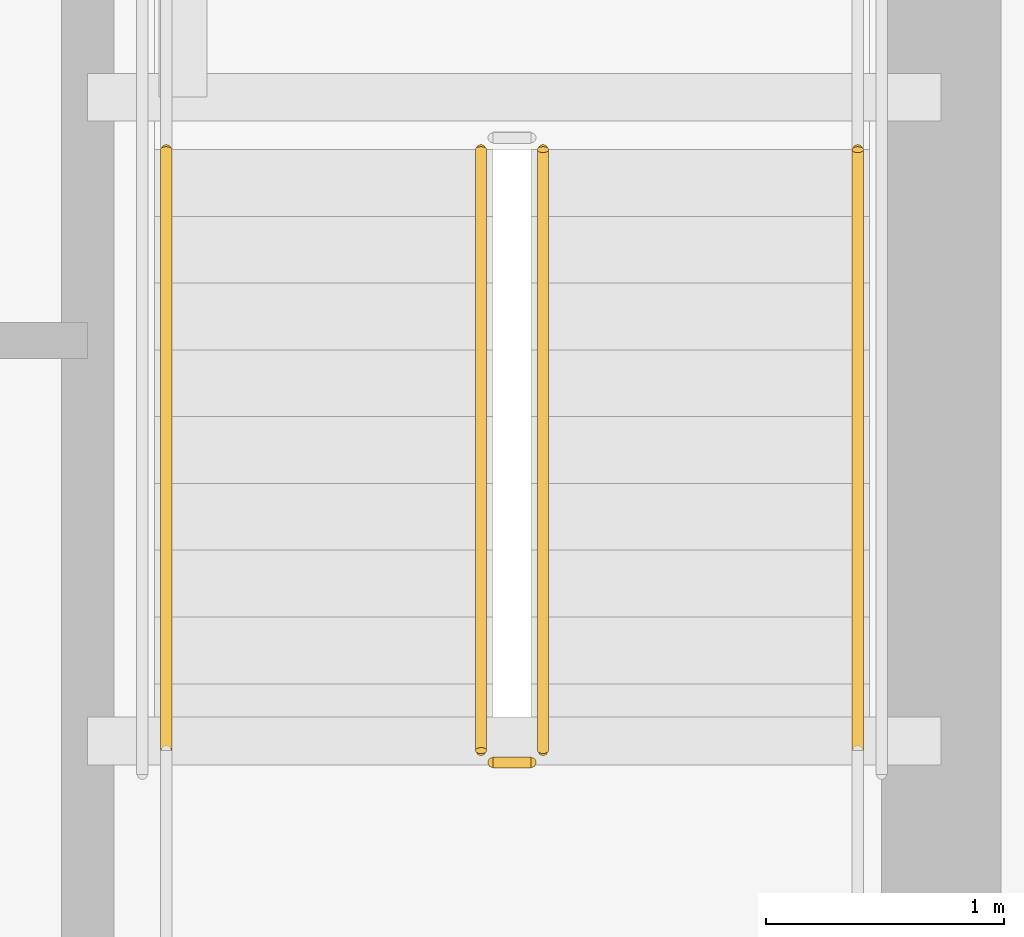
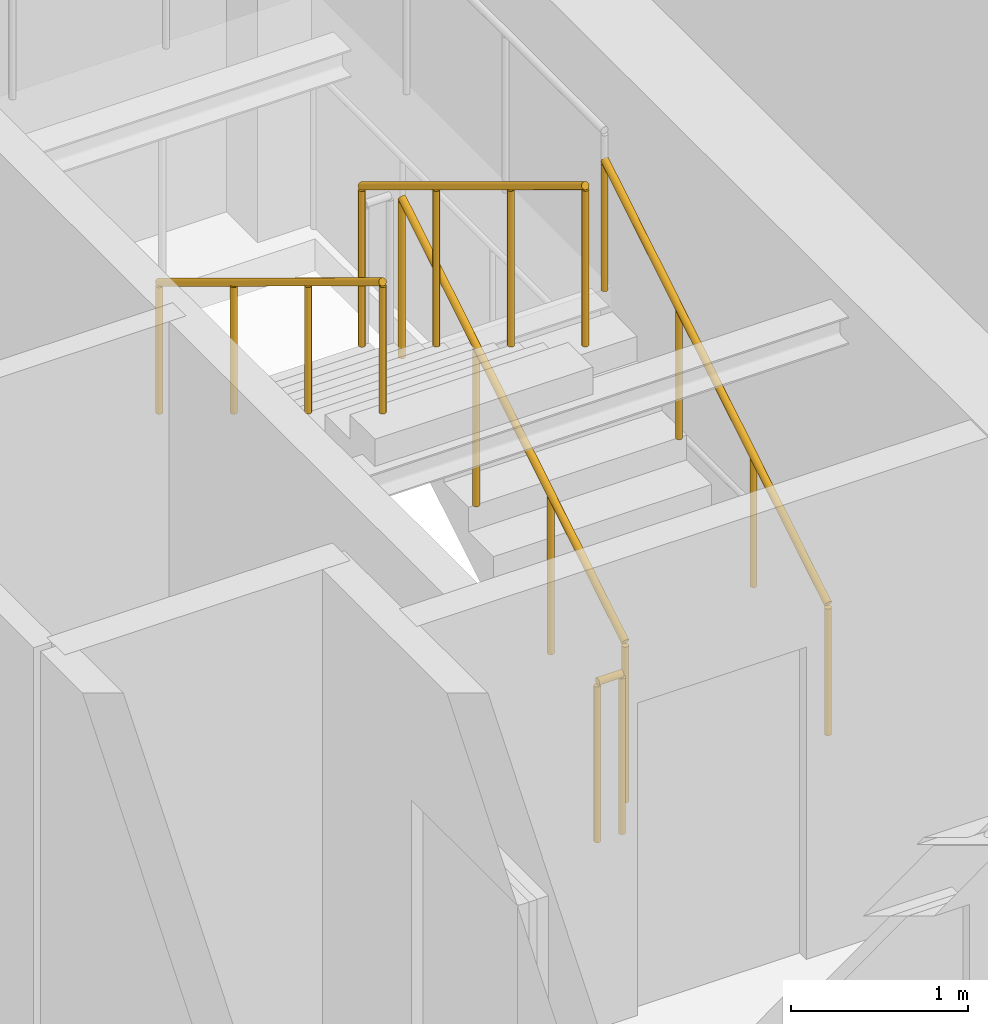
# One storey, part 30 of 33: 5 railings.
"""IFC4 building model written with IfcOpenShell, lengths in metres."""

from ifc_helpers import new_model, si_unit, direction, frame, origin, origin_2d, place, context, subcontext, project, spatial, circle, extrude, material, layer, layer_set, type_object, element, save


model = new_model("IFC4")

# Units and contexts
model_context = context("Model", 3, precision=1e-05, world=origin(), true_north=direction((0.0, 1.0)))
body_context = subcontext(model_context, "Body", "Model", "MODEL_VIEW")
ifc_project = project(units=[si_unit("LENGTHUNIT", "METRE"), si_unit("AREAUNIT", "SQUARE_METRE"), si_unit("VOLUMEUNIT", "CUBIC_METRE"), si_unit("PLANEANGLEUNIT", "RADIAN"), si_unit("MASSUNIT", "GRAM", prefix="KILO")], contexts=[model_context])

# Site, building, storey
site_placement = place(None, origin())
site = spatial("IfcSite", under=ifc_project, at=site_placement, CompositionType="ELEMENT")
building_placement = place(site_placement, origin())
building = spatial("IfcBuilding", under=site, at=building_placement, Name="Yelkora Congress Tower", CompositionType="ELEMENT")
storey_placement = place(building_placement, frame((0.0, 0.0, 54.199951171875)))
storey = spatial("IfcBuildingStorey", under=building, at=storey_placement, Name="L13", CompositionType="ELEMENT", Elevation=54.199951171875)

# Railings
ifc_material_1 = material(Name="Painted galvanised steel stair well guard with vertical infill", Category="steel")
ifc_layer_1 = layer(ifc_material_1, 0.06005859375)
ifc_layer_set_1 = layer_set([ifc_layer_1], Name="Painted galvanised steel stair well guard with vertical infill")
railing_type_1 = type_object("IfcRailingType", Name="RAIL-STAIR-GUARD-1120", PredefinedType="GUARDRAIL", material=ifc_layer_set_1)
railing_1_placement = place(storey_placement, frame((52.090087890625, 39.60009765625, 0.170166015625)))
element("IfcRailing", 1, at=railing_1_placement, inside=storey, type_object=railing_type_1, Name="ST-02 L13 Stair Well Guardrail 1", PredefinedType="GUARDRAIL", context=body_context, shape_type="SweptSolid", body=[
    extrude(circle(Radius=0.02392578125, at=origin_2d()), frame((0.0, 0.0, 1.09619140625), z_axis=(0.0, 0.854821627497, 0.518921945155), x_axis=(-1.0, 0.0, 0.0)), (0.0, 0.0, 1.0), 2.947998046875),
    extrude(circle(Radius=0.02099609375, at=origin_2d()), origin(), (0.0, 0.0, 1.0), 1.072021484375),
    extrude(circle(Radius=0.02099609375, at=origin_2d()), frame((0.0, 0.840087890625, 0.510009765625)), (0.0, 0.0, 1.0), 1.072021484375),
    extrude(circle(Radius=0.02099609375, at=origin_2d()), frame((0.0, 1.679931640625, 1.019775390625)), (0.0, 0.0, 1.0), 1.072021484375),
    extrude(circle(Radius=0.02099609375, at=origin_2d()), frame((0.0, 2.52001953125, 1.52978515625)), (0.0, 0.0, 1.0), 1.072021484375),
])
railing_2_placement = place(storey_placement, frame((51.830078125, 42.1201171875, 1.8701171875)))
element("IfcRailing", 2, at=railing_2_placement, inside=storey, type_object=railing_type_1, Name="ST-02 L13 Stair Well Guardrail 6", PredefinedType="GUARDRAIL", context=body_context, shape_type="SweptSolid", body=[
    extrude(circle(Radius=0.02392578125, at=origin_2d()), frame((0.0, 0.0, 1.09619140625), z_axis=(0.0, -0.85478489116, 0.518982456201), x_axis=(1.0, 0.0, 0.0)), (0.0, 0.0, 1.0), 2.9482421875),
    extrude(circle(Radius=0.02099609375, at=origin_2d()), origin(), (0.0, 0.0, 1.0), 1.072021484375),
    extrude(circle(Radius=0.02099609375, at=origin_2d()), frame((0.0, -0.840087890625, 0.510009765625)), (0.0, 0.0, 1.0), 1.072021484375),
    extrude(circle(Radius=0.02099609375, at=origin_2d()), frame((0.0, -1.679931640625, 1.02001953125)), (0.0, 0.0, 1.0), 1.072021484375),
    extrude(circle(Radius=0.02099609375, at=origin_2d()), frame((0.0, -2.52001953125, 1.530029296875)), (0.0, 0.0, 1.0), 1.072021484375),
])
railing_3_placement = place(storey_placement, frame((52.0400390625, 39.550048828125, 0.0)))
element("IfcRailing", 3, at=railing_3_placement, inside=storey, type_object=railing_type_1, Name="ST-02 L13 Stair Well Guardrail 7", PredefinedType="GUARDRAIL", context=body_context, shape_type="SweptSolid", body=[
    extrude(circle(Radius=0.02392578125, at=origin_2d()), frame((0.0, 0.0, 1.09619140625), z_axis=(-1.0, 0.0, 0.0), x_axis=(0.0, -1.0, 0.0)), (0.0, 0.0, 1.0), 0.16015625),
    extrude(circle(Radius=0.02099609375, at=origin_2d()), origin(), (0.0, 0.0, 1.0), 1.072021484375),
    extrude(circle(Radius=0.02099609375, at=origin_2d()), frame((-0.16015625, 0.0, 0.0)), (0.0, 0.0, 1.0), 1.072021484375),
])
ifc_material_2 = material(Name="Brushed stainless steel tubular handrail", Category="steel")
ifc_layer_2 = layer(ifc_material_2, 0.050048828125)
ifc_layer_set_2 = layer_set([ifc_layer_2], Name="Brushed stainless steel tubular handrail")
railing_type_2 = type_object("IfcRailingType", Name="RAIL-STAIR-HAND-920", PredefinedType="HANDRAIL", material=ifc_layer_set_2)
railing_4_placement = place(storey_placement, frame((53.409912109375, 39.60009765625, 0.170166015625)))
element("IfcRailing", 4, at=railing_4_placement, inside=storey, type_object=railing_type_2, Name="ST-02 L13 Pitch Handrail 1", PredefinedType="HANDRAIL", context=body_context, shape_type="SweptSolid", body=[
    extrude(circle(Radius=0.02392578125, at=origin_2d()), frame((0.0, 0.0, 0.89599609375), z_axis=(0.0, 0.854821627497, 0.518921945155), x_axis=(-1.0, 0.0, 0.0)), (0.0, 0.0, 1.0), 2.947998046875),
    extrude(circle(Radius=0.02099609375, at=origin_2d()), origin(), (0.0, 0.0, 1.0), 0.871826171875),
    extrude(circle(Radius=0.02099609375, at=origin_2d()), frame((0.0, 0.840087890625, 0.510009765625)), (0.0, 0.0, 1.0), 0.871826171875),
    extrude(circle(Radius=0.02099609375, at=origin_2d()), frame((0.0, 1.679931640625, 1.019775390625)), (0.0, 0.0, 1.0), 0.871826171875),
    extrude(circle(Radius=0.02099609375, at=origin_2d()), frame((0.0, 2.52001953125, 1.52978515625)), (0.0, 0.0, 1.0), 0.871826171875),
])
railing_5_placement = place(storey_placement, frame((50.510009765625, 42.1201171875, 1.8701171875)))
element("IfcRailing", 5, at=railing_5_placement, inside=storey, type_object=railing_type_2, Name="ST-02 L13 Pitch Handrail 2", PredefinedType="HANDRAIL", context=body_context, shape_type="SweptSolid", body=[
    extrude(circle(Radius=0.02392578125, at=origin_2d()), frame((0.0, 0.0, 0.89599609375), z_axis=(0.0, -0.85478489116, 0.518982456201), x_axis=(1.0, 0.0, 0.0)), (0.0, 0.0, 1.0), 2.9482421875),
    extrude(circle(Radius=0.02099609375, at=origin_2d()), origin(), (0.0, 0.0, 1.0), 0.871826171875),
    extrude(circle(Radius=0.02099609375, at=origin_2d()), frame((0.0, -0.840087890625, 0.510009765625)), (0.0, 0.0, 1.0), 0.871826171875),
    extrude(circle(Radius=0.02099609375, at=origin_2d()), frame((0.0, -1.679931640625, 1.02001953125)), (0.0, 0.0, 1.0), 0.871826171875),
    extrude(circle(Radius=0.02099609375, at=origin_2d()), frame((0.0, -2.52001953125, 1.530029296875)), (0.0, 0.0, 1.0), 0.871826171875),
])

save(model, "model.ifc")
